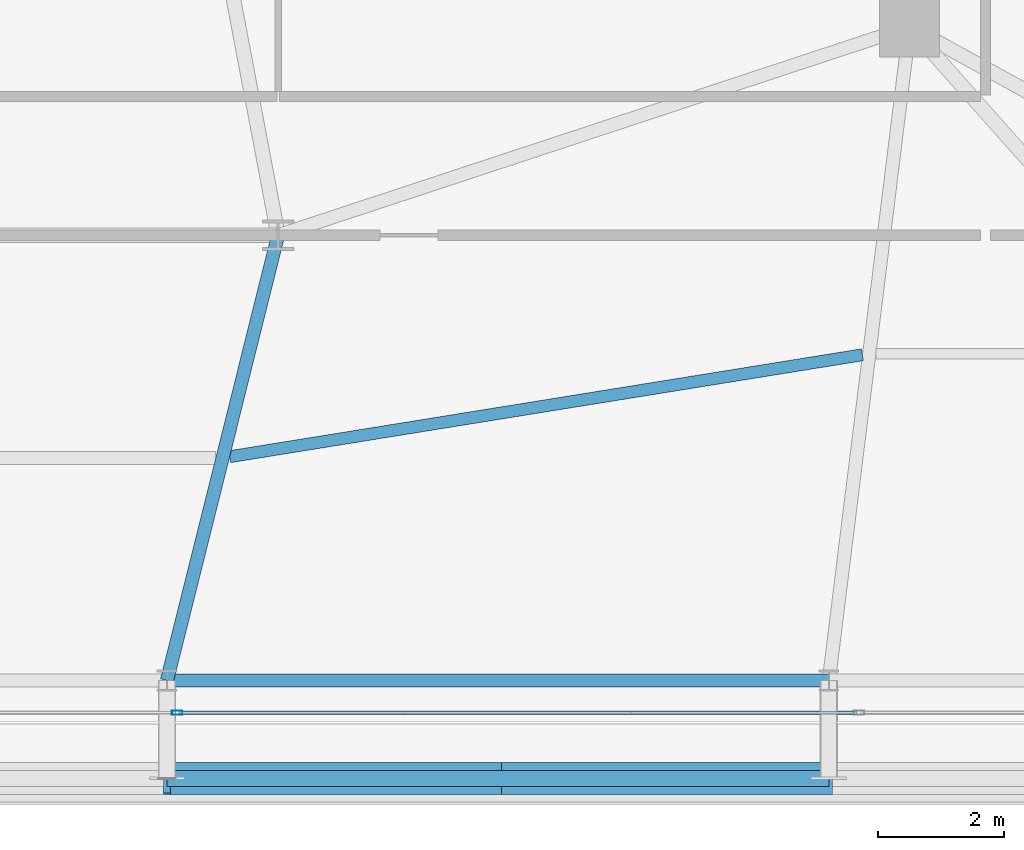
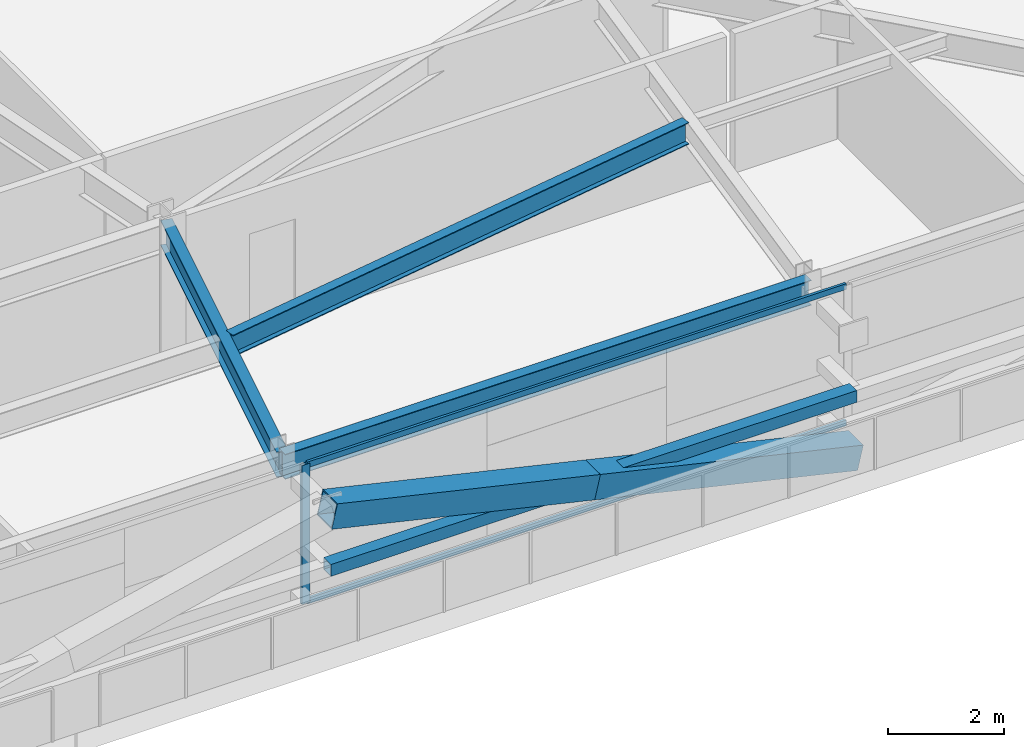
# One storey, part 19 of 56: 6 members, 3 beams, 1 element without a shape of its own.
"""IFC4 building model written with IfcOpenShell, lengths in metres."""

from ifc_helpers import new_model, si_unit, direction, frame, origin, origin_2d, place, context, subcontext, project, spatial, hollow_rectangle, i_section, extrude, source, transform, mapped, material, layer, layer_set, material_profile, profile_set, type_object, element, aggregate, save


model = new_model("IFC4")

# Units and contexts
model_context = context("Model", 3, precision=1e-05, world=origin(), true_north=direction((0.0, 1.0)))
body_context = subcontext(model_context, "Body", "Model", "MODEL_VIEW")
ifc_project = project(units=[si_unit("LENGTHUNIT", "METRE"), si_unit("AREAUNIT", "SQUARE_METRE"), si_unit("VOLUMEUNIT", "CUBIC_METRE"), si_unit("PLANEANGLEUNIT", "RADIAN"), si_unit("MASSUNIT", "GRAM", prefix="KILO")], contexts=[model_context])

# Site, building, storey
site_placement = place(None, origin())
site = spatial("IfcSite", under=ifc_project, at=site_placement, CompositionType="ELEMENT")
building_placement = place(site_placement, origin())
building = spatial("IfcBuilding", under=site, at=building_placement, Name="Taldren Reach Tower", CompositionType="ELEMENT")
storey_placement = place(building_placement, frame((0.0, 0.0, 16.800048828125)))
storey = spatial("IfcBuildingStorey", under=building, at=storey_placement, Name="L04", CompositionType="ELEMENT", Elevation=16.800048828125)

# Beams
ifc_material_1 = material(Name="Steel Gr 350 (350PLUS)", Category="steel")
ifc_material_profile_1 = material_profile(ifc_material_1, i_section(OverallWidth=0.208984375, OverallDepth=0.528076171875, WebThickness=0.009521484375, FlangeThickness=0.01318359375, at=origin_2d()), Name="530UB82.0")
ifc_profile_set_1 = profile_set([ifc_material_profile_1], Name="Steel Gr 350 (350PLUS)")
beam_type_1 = type_object("IfcBeamType", Name="SP-UB530B", PredefinedType="SPANDREL", material=ifc_profile_set_1)
shared_shape_1 = source(origin(), body_context, "Body", "SweptSolid", [
    extrude(i_section(OverallWidth=0.208984375, OverallDepth=0.528076171875, WebThickness=0.009521484375, FlangeThickness=0.01318359375, at=origin_2d()), origin(), (0.0, 0.0, 1.0), 10.47998046875),
])
beam_1_placement = place(storey_placement, frame((40.239990234375, 2.14990234375, 2.666015625), z_axis=(1.0, 0.0, 0.0), x_axis=(0.0, 1.0, 0.0)))
element("IfcBeam", 1, at=beam_1_placement, inside=storey, type_object=beam_type_1, Name="Perimeter spandrel B1 S4-S5 L04", PredefinedType="SPANDREL", context=body_context, shape_type="MappedRepresentation", body=[
    mapped(shared_shape_1, transform((0.0, 0.0, 0.0), scale=1.0)),
])
ifc_material_profile_2 = material_profile(ifc_material_1, i_section(OverallWidth=0.208984375, OverallDepth=0.532958984375, WebThickness=0.01025390625, FlangeThickness=0.015625, at=origin_2d()), Name="530UB92.4")
ifc_profile_set_2 = profile_set([ifc_material_profile_2], Name="Steel Gr 350 (350PLUS)")
beam_type_2 = type_object("IfcBeamType", Name="BM-UB530A", PredefinedType="BEAM", material=ifc_profile_set_2)
shared_shape_2 = source(origin(), body_context, "Body", "SweptSolid", [
    extrude(i_section(OverallWidth=0.208984375, OverallDepth=0.532958984375, WebThickness=0.01025390625, FlangeThickness=0.015625, at=origin_2d()), origin(), (0.0, 0.0, 1.0), 7.266357421875),
])
beam_2_placement = place(storey_placement, frame((42.0, 9.199951171875, 2.663330078125), z_axis=(-0.24221148493, -0.970223477642, 0.0), x_axis=(0.970223477642, -0.24221148493, 0.0)))
element("IfcBeam", 2, at=beam_2_placement, inside=storey, type_object=beam_type_2, Name="Primary floor girder B1-S4 L04", PredefinedType="BEAM", context=body_context, shape_type="MappedRepresentation", body=[
    mapped(shared_shape_2, transform((0.0, 0.0, 0.0), scale=1.0)),
])
ifc_material_profile_3 = material_profile(ifc_material_1, i_section(OverallWidth=0.19091796875, OverallDepth=0.4599609375, WebThickness=0.010009765625, FlangeThickness=0.01611328125, at=origin_2d()), Name="460UB82.1")
ifc_profile_set_3 = profile_set([ifc_material_profile_3], Name="Steel Gr 350 (350PLUS)")
beam_type_3 = type_object("IfcBeamType", Name="BM-UB460A", PredefinedType="BEAM", material=ifc_profile_set_3)
shared_shape_3 = source(origin(), body_context, "Body", "SweptSolid", [
    extrude(i_section(OverallWidth=0.19091796875, OverallDepth=0.4599609375, WebThickness=0.010009765625, FlangeThickness=0.01611328125, at=origin_2d()), origin(), (0.0, 0.0, 1.0), 10.1494140625),
])
beam_3_placement = place(storey_placement, frame((41.232177734375, 5.693115234375, 2.699951171875), z_axis=(0.987266967452, 0.159072106224, 0.0), x_axis=(-0.159072106224, 0.987266967452, 0.0)))
element("IfcBeam", 3, at=beam_3_placement, inside=storey, type_object=beam_type_3, Name="Secondary floor beam B1 J4 L04", PredefinedType="BEAM", context=body_context, shape_type="MappedRepresentation", body=[
    mapped(shared_shape_3, transform((0.0, 0.0, 0.0), scale=1.0)),
])

# Members
ifc_material_2 = material(Name="Steel Gr 450 (C450L0)", Category="steel")
ifc_material_profile_4 = material_profile(ifc_material_2, hollow_rectangle(XDim=0.510009765625, YDim=0.510009765625, WallThickness=0.02001953125, at=origin_2d()), Name="510x510x20.0SHS")
ifc_profile_set_4 = profile_set([ifc_material_profile_4], Name="Steel Gr 450 (C450L0)")
member_type_1 = type_object("IfcMemberType", Name="MB-EXO508", PredefinedType="BRACE", material=ifc_profile_set_4)
shared_shape_4 = source(origin(), body_context, "Body", "SweptSolid", [
    extrude(hollow_rectangle(XDim=0.510009765625, YDim=0.510009765625, WallThickness=0.02001953125, at=origin_2d()), origin(), (0.0, 0.0, 1.0), 5.37890625),
])
for number, where, z_axis, x_axis, name in (
    (4, (50.719970703125, 0.60009765625, 0.219970703125), (-0.97415197996, 0.0, 0.225893603143), (0.0, -1.0, 0.0), "Exoskeleton Diagrid Brace B1-S4 L04"),
    (5, (45.47998046875, 0.60009765625, 1.43505859375), (-0.974161966843, 0.0, 0.225850531007), (0.0, -1.0, 0.0), "Exoskeleton Diagrid Brace B1-S4 L04"),
):
    element("IfcMember", number, at=place(storey_placement, frame(where, z_axis=z_axis, x_axis=x_axis)), inside=storey, type_object=member_type_1, Name=name, PredefinedType="BRACE", context=body_context, shape_type="MappedRepresentation", body=[
        mapped(shared_shape_4, transform((0.0, 0.0, 0.0), scale=1.0)),
    ])
ifc_material_3 = material(Name="Steel Gr 350 (C350L0)", Category="steel")
ifc_material_profile_5 = material_profile(ifc_material_3, hollow_rectangle(XDim=0.25, YDim=0.25, WallThickness=0.010009765625, at=origin_2d()), Name="250x250x10.0SHS")
ifc_profile_set_5 = profile_set([ifc_material_profile_5], Name="Steel Gr 350 (C350L0)")
member_type_2 = type_object("IfcMemberType", Name="MB-POST250", PredefinedType="POST", material=ifc_profile_set_5)
shared_shape_5 = source(origin(), body_context, "Body", "SweptSolid", [
    extrude(hollow_rectangle(XDim=0.25, YDim=0.25, WallThickness=0.010009765625, at=origin_2d()), origin(), (0.0, 0.0, 1.0), 10.47998046875),
])
member_1_placement = place(storey_placement, frame((40.239990234375, 0.60009765625, 1.43505859375), z_axis=(1.0, 0.0, 0.0), x_axis=(0.0, 1.0, 0.0)))
element("IfcMember", 6, at=member_1_placement, inside=storey, type_object=member_type_2, Name="Exoskeleton mid-height ring chord B1-S4 L04", PredefinedType="POST", context=body_context, shape_type="MappedRepresentation", body=[
    mapped(shared_shape_5, transform((0.0, 0.0, 0.0), scale=1.0)),
])

# Curtain wall, members
ifc_material_4 = material(Name="Aluminium and Low-E Glass Unitised System", Category="aluminium")
ifc_layer = layer(ifc_material_4, 0.159912109375)
ifc_layer_set = layer_set([ifc_layer], Name="Aluminium and Low-E Glass Unitised System")
curtain_wall_type = type_object("IfcCurtainWallType", Name="CW-SYS-2", PredefinedType="NOTDEFINED", material=ifc_layer_set)
curtain_wall_placement = place(storey_placement, origin())
curtain_wall = element("IfcCurtainWall", 7, at=curtain_wall_placement, inside=storey, type_object=curtain_wall_type, Name="Unitised curtain wall CW-L04-S", PredefinedType="NOTDEFINED")
ifc_material_5 = material(Name="Anodised Aluminium 6063-T6", Category="aluminium")
ifc_material_profile_6 = material_profile(ifc_material_5, hollow_rectangle(XDim=0.06494140625, YDim=0.1650390625, WallThickness=0.00390625, at=origin_2d()), Name="ALU-165x65x4RHS")
ifc_profile_set_6 = profile_set([ifc_material_profile_6], Name="Anodised Aluminium 6063-T6")
member_type_3 = type_object("IfcMemberType", Name="CW-MUL-165", PredefinedType="MULLION", material=ifc_profile_set_6)
shared_shape_6 = source(origin(), body_context, "Body", "SweptSolid", [
    extrude(hollow_rectangle(XDim=0.06494140625, YDim=0.1650390625, WallThickness=0.00390625, at=origin_2d()), origin(), (0.0, 0.0, 1.0), 2.929931640625),
])
member_2_placement = place(storey_placement, frame((40.39990234375, 1.639892578125, 0.0), z_axis=(0.0, 0.0, 1.0), x_axis=(0.0, 1.0, 0.0)))
member_2 = element("IfcMember", 8, at=member_2_placement, type_object=member_type_3, Name="CW-2 mullion 4", PredefinedType="MULLION", context=body_context, shape_type="MappedRepresentation", body=[
    mapped(shared_shape_6, transform((0.0, 0.0, 0.0), scale=1.0)),
])
ifc_material_profile_7 = material_profile(ifc_material_5, hollow_rectangle(XDim=0.054931640625, YDim=0.1201171875, WallThickness=0.0029296875, at=origin_2d()), Name="ALU-120x55x3RHS")
ifc_profile_set_7 = profile_set([ifc_material_profile_7], Name="Anodised Aluminium 6063-T6")
member_type_4 = type_object("IfcMemberType", Name="CW-TRN-135", PredefinedType="USERDEFINED", material=ifc_profile_set_7)
shared_shape_7 = source(origin(), body_context, "Body", "SweptSolid", [
    extrude(hollow_rectangle(XDim=0.054931640625, YDim=0.1201171875, WallThickness=0.0029296875, at=origin_2d()), origin(), (0.0, 0.0, 1.0), 10.73486328125),
])
member_3_placement = place(storey_placement, frame((40.4326171875, 1.639892578125, 0.02734375), z_axis=(1.0, 0.0, 0.0), x_axis=(0.0, 1.0, 0.0)))
member_3 = element("IfcMember", 9, at=member_3_placement, type_object=member_type_4, Name="CW-2 transom 4.1", ObjectType="TRANSOM", PredefinedType="USERDEFINED", context=body_context, shape_type="MappedRepresentation", body=[
    mapped(shared_shape_7, transform((0.0, 0.0, 0.0), scale=1.0)),
])
member_4_placement = place(storey_placement, frame((40.4326171875, 1.639892578125, 2.90234375), z_axis=(1.0, 0.0, 0.0), x_axis=(0.0, 1.0, 0.0)))
member_4 = element("IfcMember", 10, at=member_4_placement, type_object=member_type_4, Name="CW-2 transom 4.2", ObjectType="TRANSOM", PredefinedType="USERDEFINED", context=body_context, shape_type="MappedRepresentation", body=[
    mapped(shared_shape_7, transform((0.0, 0.0, 0.0), scale=1.0)),
])
aggregate(curtain_wall, [member_2, member_3, member_4])

save(model, "model.ifc")
